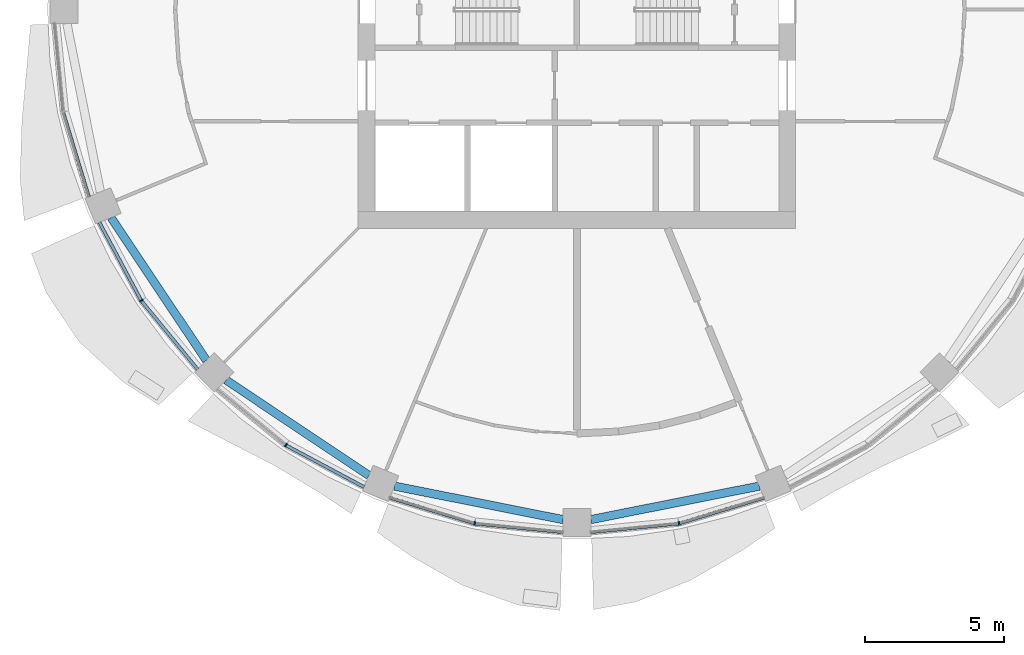
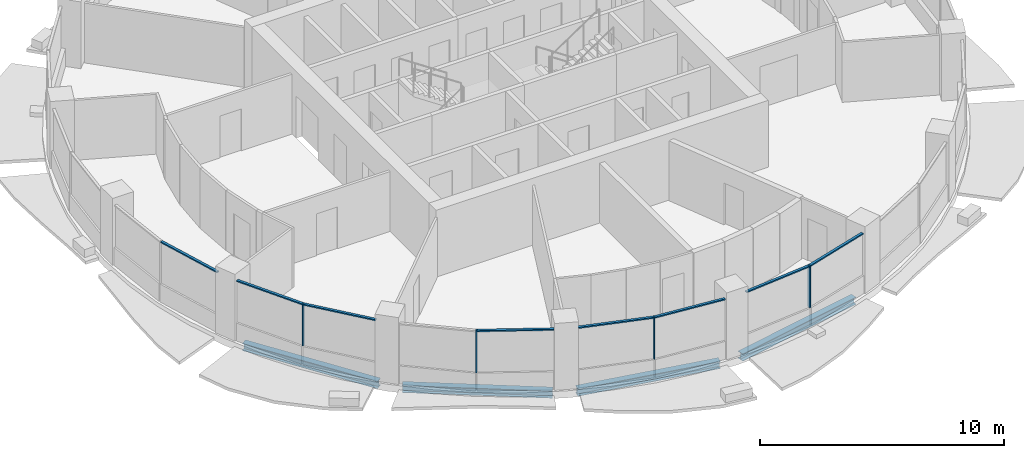
# One storey, part 2 of 15: 12 members, 4 beams, 5 elements without a shape of their own.
"""IFC4 building model written with IfcOpenShell, lengths in metres."""

from ifc_helpers import new_model, si_unit, direction, frame, origin, origin_2d, place, context, subcontext, project, spatial, rectangle, i_section, extrude, material, material_profile, profile_set, type_object, element, aggregate, save


model = new_model("IFC4")

# Units and contexts
model_context = context("Model", 3, precision=1e-05, world=origin(), true_north=direction((0.0, 1.0)))
body_context = subcontext(model_context, "Body", "Model", "MODEL_VIEW")
ifc_project = project(units=[si_unit("LENGTHUNIT", "METRE"), si_unit("AREAUNIT", "SQUARE_METRE"), si_unit("VOLUMEUNIT", "CUBIC_METRE"), si_unit("PLANEANGLEUNIT", "RADIAN"), si_unit("MASSUNIT", "GRAM", prefix="KILO")], contexts=[model_context])

# Site, building, storey
site_placement = place(None, origin())
site = spatial("IfcSite", under=ifc_project, at=site_placement, CompositionType="ELEMENT")
building_placement = place(site_placement, origin())
building = spatial("IfcBuilding", under=site, at=building_placement, Name="Polderwave Tower", CompositionType="ELEMENT")
storey_placement = place(building_placement, frame((0.0, 0.0, 120.949951171875)))
storey = spatial("IfcBuildingStorey", under=building, at=storey_placement, Name="L31", CompositionType="ELEMENT", Elevation=120.949951171875)

# Curtain wall, member
ifc_material_1 = material(Name="Aluminium 6063-T6 and glass", Category="aluminium")
curtain_wall_type = type_object("IfcCurtainWallType", Name="Office ribbon glazing wall", PredefinedType="NOTDEFINED", material=ifc_material_1)
curtain_wall_1_placement = place(storey_placement, origin())
curtain_wall_1 = element("IfcCurtainWall", 1, at=curtain_wall_1_placement, inside=storey, type_object=curtain_wall_type, Name="CW3 L31 09", PredefinedType="NOTDEFINED")
ifc_material_2 = material(Name="Aluminium 6063-T6", Category="aluminium")
ifc_material_profile_1 = material_profile(ifc_material_2, rectangle(XDim=0.139892578125, YDim=0.054931640625, at=origin_2d()), Name="AL 55x140")
ifc_profile_set_1 = profile_set([ifc_material_profile_1], Name="Aluminium 6063-T6")
member_type_1 = type_object("IfcMemberType", Name="Office ribbon glazing mullion 55x140", PredefinedType="MULLION", material=ifc_profile_set_1)
member_1_placement = place(storey_placement, frame((-15.681884765625, -10.47802734375, 0.900146484375), z_axis=(0.0, 0.0, 1.0), x_axis=(0.831453127836, 0.555594902975, 0.0)))
member_1 = element("IfcMember", 2, at=member_1_placement, type_object=member_type_1, Name="CW3 mullion 1", PredefinedType="MULLION", context=body_context, shape_type="SweptSolid", body=[
    extrude(rectangle(XDim=0.139892578125, YDim=0.054931640625, at=origin_2d()), origin(), (0.0, 0.0, 1.0), 2.099853515625),
])

curtain_wall_2_placement = place(storey_placement, origin())
curtain_wall_2 = element("IfcCurtainWall", 3, at=curtain_wall_2_placement, inside=storey, type_object=curtain_wall_type, Name="CW3 L31 10", PredefinedType="NOTDEFINED")
member_2_placement = place(storey_placement, frame((-10.47802734375, -15.681884765625, 0.900146484375), z_axis=(0.0, 0.0, 1.0), x_axis=(0.555594902975, 0.831453127836, 0.0)))
member_2 = element("IfcMember", 4, at=member_2_placement, type_object=member_type_1, Name="CW3 mullion 1", PredefinedType="MULLION", context=body_context, shape_type="SweptSolid", body=[
    extrude(rectangle(XDim=0.139892578125, YDim=0.054931640625, at=origin_2d()), origin(), (0.0, 0.0, 1.0), 2.099853515625),
])

curtain_wall_3_placement = place(storey_placement, origin())
curtain_wall_3 = element("IfcCurtainWall", 5, at=curtain_wall_3_placement, inside=storey, type_object=curtain_wall_type, Name="CW3 L31 11", PredefinedType="NOTDEFINED")
member_3_placement = place(storey_placement, frame((-3.678955078125, -18.498046875, 0.900146484375), z_axis=(0.0, 0.0, 1.0), x_axis=(0.195127981324, 0.98077778875, 0.0)))
member_3 = element("IfcMember", 6, at=member_3_placement, type_object=member_type_1, Name="CW3 mullion 1", PredefinedType="MULLION", context=body_context, shape_type="SweptSolid", body=[
    extrude(rectangle(XDim=0.139892578125, YDim=0.054931640625, at=origin_2d()), origin(), (0.0, 0.0, 1.0), 2.099853515625),
])

curtain_wall_4_placement = place(storey_placement, origin())
curtain_wall_4 = element("IfcCurtainWall", 7, at=curtain_wall_4_placement, inside=storey, type_object=curtain_wall_type, Name="CW3 L31 12", PredefinedType="NOTDEFINED")
member_4_placement = place(storey_placement, frame((3.678955078125, -18.498046875, 0.900146484375), z_axis=(0.0, 0.0, 1.0), x_axis=(-0.195127981324, 0.98077778875, 0.0)))
member_4 = element("IfcMember", 8, at=member_4_placement, type_object=member_type_1, Name="CW3 mullion 1", PredefinedType="MULLION", context=body_context, shape_type="SweptSolid", body=[
    extrude(rectangle(XDim=0.139892578125, YDim=0.054931640625, at=origin_2d()), origin(), (0.0, 0.0, 1.0), 2.099853515625),
])

curtain_wall_5_placement = place(storey_placement, origin())
curtain_wall_5 = element("IfcCurtainWall", 9, at=curtain_wall_5_placement, inside=storey, type_object=curtain_wall_type, Name="CW3 L31 08", PredefinedType="NOTDEFINED")
ifc_material_profile_2 = material_profile(ifc_material_2, rectangle(XDim=0.1201171875, YDim=0.06005859375, at=origin_2d()), Name="AL 60x120")
ifc_profile_set_2 = profile_set([ifc_material_profile_2], Name="Aluminium 6063-T6")
member_type_2 = type_object("IfcMemberType", Name="Office ribbon glazing transom 60x120", PredefinedType="USERDEFINED", material=ifc_profile_set_2)
member_5_placement = place(storey_placement, frame((-18.489990234375, -3.705322265625, 2.969970703125), z_axis=(0.290358126892, -0.95691805195, 0.0), x_axis=(0.95691805195, 0.290358126892, 0.0)))
member_5 = element("IfcMember", 10, at=member_5_placement, type_object=member_type_2, Name="CW3 transom 2", ObjectType="TRANSOM", PredefinedType="USERDEFINED", context=body_context, shape_type="SweptSolid", body=[
    extrude(rectangle(XDim=0.1201171875, YDim=0.06005859375, at=origin_2d()), origin(), (0.0, 0.0, 1.0), 3.168212890625),
])
aggregate(curtain_wall_5, [member_5])

# Member
member_6_placement = place(storey_placement, frame((-17.18798828125, -7.660888671875, 2.969970703125), z_axis=(0.471440336956, -0.881897958208, 0.0), x_axis=(0.881897958208, 0.471440336956, 0.0)))
member_6 = element("IfcMember", 11, at=member_6_placement, type_object=member_type_2, Name="CW3 transom 1", ObjectType="TRANSOM", PredefinedType="USERDEFINED", context=body_context, shape_type="SweptSolid", body=[
    extrude(rectangle(XDim=0.1201171875, YDim=0.06005859375, at=origin_2d()), origin(), (0.0, 0.0, 1.0), 3.166748046875),
])

member_7_placement = place(storey_placement, frame((-15.66455078125, -10.499267578125, 2.969970703125), z_axis=(0.634374481569, -0.773025883871, 0.0), x_axis=(0.773025883871, 0.634374481569, 0.0)))
member_7 = element("IfcMember", 12, at=member_7_placement, type_object=member_type_2, Name="CW3 transom 2", ObjectType="TRANSOM", PredefinedType="USERDEFINED", context=body_context, shape_type="SweptSolid", body=[
    extrude(rectangle(XDim=0.1201171875, YDim=0.06005859375, at=origin_2d()), origin(), (0.0, 0.0, 1.0), 3.167724609375),
])

aggregate(curtain_wall_1, [member_1, member_6, member_7])

member_8_placement = place(storey_placement, frame((-10.45361328125, -15.695068359375, 2.969970703125), z_axis=(0.881897958208, -0.471440336956, 0.0), x_axis=(0.471440336956, 0.881897958208, 0.0)))
member_8 = element("IfcMember", 13, at=member_8_placement, type_object=member_type_2, Name="CW3 transom 2", ObjectType="TRANSOM", PredefinedType="USERDEFINED", context=body_context, shape_type="SweptSolid", body=[
    extrude(rectangle(XDim=0.1201171875, YDim=0.06005859375, at=origin_2d()), origin(), (0.0, 0.0, 1.0), 3.166748046875),
])

aggregate(curtain_wall_2, [member_2, member_8])

member_9_placement = place(storey_placement, frame((-6.737060546875, -17.570068359375, 2.969970703125), z_axis=(0.95691805195, -0.290358126892, 0.0), x_axis=(0.290358126892, 0.95691805195, 0.0)))
member_9 = element("IfcMember", 14, at=member_9_placement, type_object=member_type_2, Name="CW3 transom 1", ObjectType="TRANSOM", PredefinedType="USERDEFINED", context=body_context, shape_type="SweptSolid", body=[
    extrude(rectangle(XDim=0.1201171875, YDim=0.06005859375, at=origin_2d()), origin(), (0.0, 0.0, 1.0), 3.168212890625),
])

member_10_placement = place(storey_placement, frame((-3.651611328125, -18.500732421875, 2.969970703125), z_axis=(0.9951879261, -0.09798465056, 0.0), x_axis=(0.09798465056, 0.9951879261, 0.0)))
member_10 = element("IfcMember", 15, at=member_10_placement, type_object=member_type_2, Name="CW3 transom 2", ObjectType="TRANSOM", PredefinedType="USERDEFINED", context=body_context, shape_type="SweptSolid", body=[
    extrude(rectangle(XDim=0.1201171875, YDim=0.06005859375, at=origin_2d()), origin(), (0.0, 0.0, 1.0), 3.166748046875),
])

aggregate(curtain_wall_3, [member_3, member_9, member_10])

member_11_placement = place(storey_placement, frame((0.5, -18.81103515625, 2.969970703125), z_axis=(0.9951879261, 0.09798465056, 0.0), x_axis=(-0.09798465056, 0.9951879261, 0.0)))
member_11 = element("IfcMember", 16, at=member_11_placement, type_object=member_type_2, Name="CW3 transom 1", ObjectType="TRANSOM", PredefinedType="USERDEFINED", context=body_context, shape_type="SweptSolid", body=[
    extrude(rectangle(XDim=0.1201171875, YDim=0.06005859375, at=origin_2d()), origin(), (0.0, 0.0, 1.0), 3.166748046875),
])

member_12_placement = place(storey_placement, frame((3.705322265625, -18.489990234375, 2.969970703125), z_axis=(0.95691805195, 0.290358126892, 0.0), x_axis=(-0.290358126892, 0.95691805195, 0.0)))
member_12 = element("IfcMember", 17, at=member_12_placement, type_object=member_type_2, Name="CW3 transom 2", ObjectType="TRANSOM", PredefinedType="USERDEFINED", context=body_context, shape_type="SweptSolid", body=[
    extrude(rectangle(XDim=0.1201171875, YDim=0.06005859375, at=origin_2d()), origin(), (0.0, 0.0, 1.0), 3.168212890625),
])

aggregate(curtain_wall_4, [member_4, member_11, member_12])

# Beams
ifc_material_3 = material(Name="Steel S355", Category="steel")
ifc_material_profile_3 = material_profile(ifc_material_3, i_section(OverallWidth=0.300048828125, OverallDepth=0.360107421875, WebThickness=0.012451171875, FlangeThickness=0.0224609375, at=origin_2d()), Name="HE 360 B")
ifc_profile_set_3 = profile_set([ifc_material_profile_3], Name="Steel S355")
beam_type = type_object("IfcBeamType", Name="RING BEAM HE 360 B", PredefinedType="BEAM", material=ifc_profile_set_3)
for number, where, z_axis, x_axis, name in (
    (18, (-16.771484375, -7.48828125, -0.530029296875), (0.555556426907, -0.831478837086, 0.0), (0.831478837086, 0.555556426907, 0.0), "ST-RB-L31-09"),
    (19, (-12.62939453125, -13.33642578125, -0.530029296875), (0.831478837086, -0.555556426907, 0.0), (0.555556426907, 0.831478837086, 0.0), "ST-RB-L31-10"),
):
    element("IfcBeam", number, at=place(storey_placement, frame(where, z_axis=z_axis, x_axis=x_axis)), inside=storey, type_object=beam_type, Name=name, PredefinedType="BEAM", context=body_context, shape_type="SweptSolid", body=[
        extrude(i_section(OverallWidth=0.300048828125, OverallDepth=0.360107421875, WebThickness=0.012451171875, FlangeThickness=0.0224609375, at=origin_2d()), origin(), (0.0, 0.0, 1.0), 6.18310546875),
    ])
for number, where, z_axis, x_axis, name in (
    (20, (-6.564453125, -17.154296875, -0.530029296875), (0.980785153523, -0.195090959886, 0.0), (0.195090959886, 0.980785153523, 0.0), "ST-RB-L31-11"),
    (21, (0.5, -18.360595703125, -0.530029296875), (0.980785153523, 0.195090959886, 0.0), (-0.195090959886, 0.980785153523, 0.0), "ST-RB-L31-12"),
):
    element("IfcBeam", number, at=place(storey_placement, frame(where, z_axis=z_axis, x_axis=x_axis)), inside=storey, type_object=beam_type, Name=name, PredefinedType="BEAM", context=body_context, shape_type="SweptSolid", body=[
        extrude(i_section(OverallWidth=0.300048828125, OverallDepth=0.360107421875, WebThickness=0.012451171875, FlangeThickness=0.0224609375, at=origin_2d()), origin(), (0.0, 0.0, 1.0), 6.183349609375),
    ])

save(model, "model.ifc")
